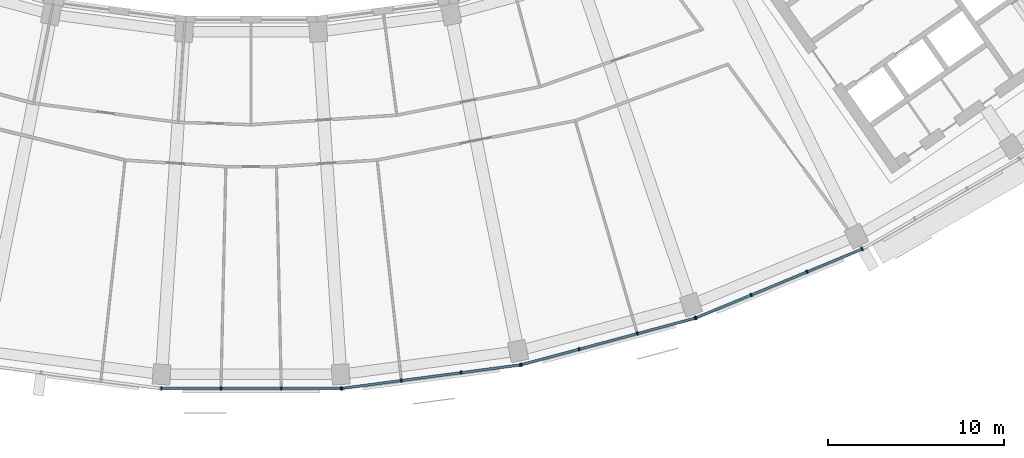
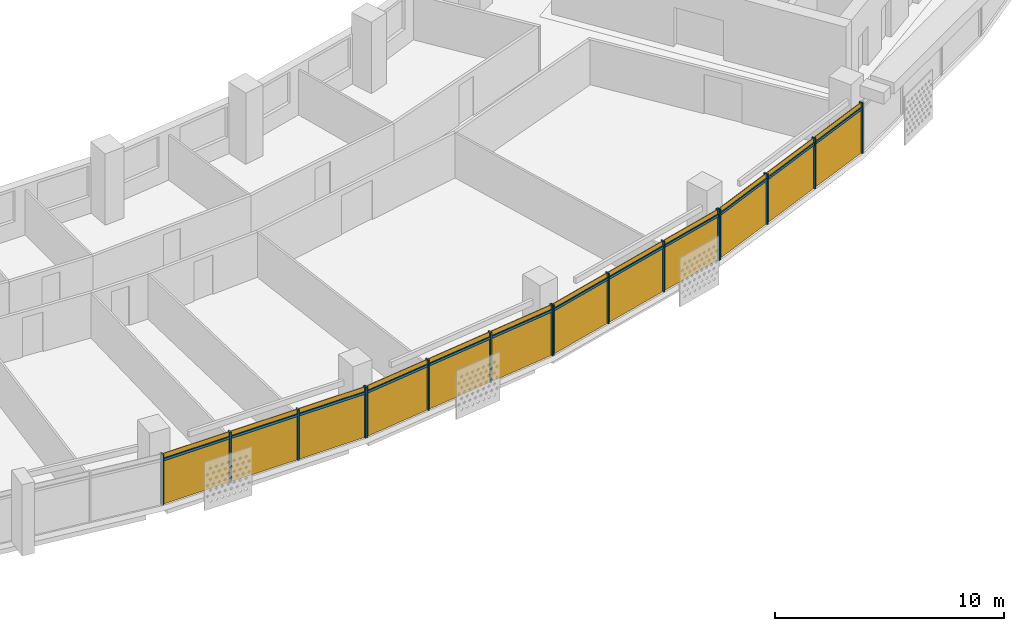
# One storey, part 21 of 28: 28 members, 4 curtain walls.
"""IFC4 building model written with IfcOpenShell, lengths in metres."""

from ifc_helpers import new_model, si_unit, direction, frame, origin, origin_2d, place, context, subcontext, project, spatial, rectangle, extrude, material, material_profile, profile_set, type_object, element, aggregate, save


model = new_model("IFC4")

# Units and contexts
model_context = context("Model", 3, precision=1e-05, world=origin(), true_north=direction((0.0, 1.0)))
body_context = subcontext(model_context, "Body", "Model", "MODEL_VIEW")
ifc_project = project(units=[si_unit("LENGTHUNIT", "METRE"), si_unit("AREAUNIT", "SQUARE_METRE"), si_unit("VOLUMEUNIT", "CUBIC_METRE"), si_unit("PLANEANGLEUNIT", "RADIAN"), si_unit("MASSUNIT", "GRAM", prefix="KILO")], contexts=[model_context])

# Member
ifc_material = material(Name="Aluminium 6063-T6 anodised", Category="aluminium")
ifc_material_profile_1 = material_profile(ifc_material, rectangle(XDim=0.199951171875, YDim=0.070068359375, at=origin_2d()))
ifc_profile_set_1 = profile_set([ifc_material_profile_1], Name="Aluminium 6063-T6 anodised")
member_type_1 = type_object("IfcMemberType", Name="Mullion 70 x 200 aluminium", PredefinedType="MULLION", material=ifc_profile_set_1)
site_placement = place(None, origin())
building_placement = place(site_placement, origin())
storey_placement = place(building_placement, frame((0.0, 0.0, 230.300048828125)))
member_1_placement = place(storey_placement, frame((-5.10888671875, -78.381591796875, 0.0), z_axis=(0.0, 0.0, 1.0), x_axis=(0.0, 1.0, 0.0)))
member_1 = element("IfcMember", 1, at=member_1_placement, type_object=member_type_1, Name="e-cw1-L55-out08/M00", PredefinedType="MULLION", context=body_context, shape_type="SweptSolid", body=[
    extrude(rectangle(XDim=0.199951171875, YDim=0.070068359375, at=origin_2d()), origin(), (0.0, 0.0, 1.0), 2.699951171875),
])

member_2_placement = place(storey_placement, frame((-1.714599609375, -78.381591796875, 0.0), z_axis=(0.0, 0.0, 1.0), x_axis=(0.0, 1.0, 0.0)))
member_2 = element("IfcMember", 2, at=member_2_placement, type_object=member_type_1, Name="e-cw1-L55-out08/M01", PredefinedType="MULLION", context=body_context, shape_type="SweptSolid", body=[
    extrude(rectangle(XDim=0.199951171875, YDim=0.070068359375, at=origin_2d()), origin(), (0.0, 0.0, 1.0), 2.699951171875),
])

member_3_placement = place(storey_placement, frame((1.714599609375, -78.381591796875, 0.0), z_axis=(0.0, 0.0, 1.0), x_axis=(0.0, 1.0, 0.0)))
member_3 = element("IfcMember", 3, at=member_3_placement, type_object=member_type_1, Name="e-cw1-L55-out08/M02", PredefinedType="MULLION", context=body_context, shape_type="SweptSolid", body=[
    extrude(rectangle(XDim=0.199951171875, YDim=0.070068359375, at=origin_2d()), origin(), (0.0, 0.0, 1.0), 2.699951171875),
])

member_4_placement = place(storey_placement, frame((5.10888671875, -78.381591796875, 0.0), z_axis=(0.0, 0.0, 1.0), x_axis=(0.0, 1.0, 0.0)))
member_4 = element("IfcMember", 4, at=member_4_placement, type_object=member_type_1, Name="e-cw1-L55-out08/M03", PredefinedType="MULLION", context=body_context, shape_type="SweptSolid", body=[
    extrude(rectangle(XDim=0.199951171875, YDim=0.070068359375, at=origin_2d()), origin(), (0.0, 0.0, 1.0), 2.699951171875),
])

member_5_placement = place(storey_placement, frame((5.16552734375, -78.3779296875, 0.0), z_axis=(0.0, 0.0, 1.0), x_axis=(-0.13052619222, 0.991444861374, 0.0)))
member_5 = element("IfcMember", 5, at=member_5_placement, type_object=member_type_1, Name="e-cw1-L55-out09/M00", PredefinedType="MULLION", context=body_context, shape_type="SweptSolid", body=[
    extrude(rectangle(XDim=0.199951171875, YDim=0.070068359375, at=origin_2d()), origin(), (0.0, 0.0, 1.0), 2.699951171875),
])

member_6_placement = place(storey_placement, frame((8.53076171875, -77.934814453125, 0.0), z_axis=(0.0, 0.0, 1.0), x_axis=(-0.13052619222, 0.991444861374, 0.0)))
member_6 = element("IfcMember", 6, at=member_6_placement, type_object=member_type_1, Name="e-cw1-L55-out09/M01", PredefinedType="MULLION", context=body_context, shape_type="SweptSolid", body=[
    extrude(rectangle(XDim=0.199951171875, YDim=0.070068359375, at=origin_2d()), origin(), (0.0, 0.0, 1.0), 2.699951171875),
])

member_7_placement = place(storey_placement, frame((11.930908203125, -77.4873046875, 0.0), z_axis=(0.0, 0.0, 1.0), x_axis=(-0.13052619222, 0.991444861374, 0.0)))
member_7 = element("IfcMember", 7, at=member_7_placement, type_object=member_type_1, Name="e-cw1-L55-out09/M02", PredefinedType="MULLION", context=body_context, shape_type="SweptSolid", body=[
    extrude(rectangle(XDim=0.199951171875, YDim=0.070068359375, at=origin_2d()), origin(), (0.0, 0.0, 1.0), 2.699951171875),
])

member_8_placement = place(storey_placement, frame((15.296142578125, -77.044189453125, 0.0), z_axis=(0.0, 0.0, 1.0), x_axis=(-0.13052619222, 0.991444861374, 0.0)))
member_8 = element("IfcMember", 8, at=member_8_placement, type_object=member_type_1, Name="e-cw1-L55-out09/M03", PredefinedType="MULLION", context=body_context, shape_type="SweptSolid", body=[
    extrude(rectangle(XDim=0.199951171875, YDim=0.070068359375, at=origin_2d()), origin(), (0.0, 0.0, 1.0), 2.699951171875),
])

member_9_placement = place(storey_placement, frame((15.351806640625, -77.033203125, 0.0), z_axis=(0.0, 0.0, 1.0), x_axis=(-0.258819045103, 0.965925826289, 0.0)))
member_9 = element("IfcMember", 9, at=member_9_placement, type_object=member_type_1, Name="e-cw1-L55-out10/M00", PredefinedType="MULLION", context=body_context, shape_type="SweptSolid", body=[
    extrude(rectangle(XDim=0.199951171875, YDim=0.070068359375, at=origin_2d()), origin(), (0.0, 0.0, 1.0), 2.699951171875),
])

member_10_placement = place(storey_placement, frame((18.63037109375, -76.154541015625, 0.0), z_axis=(0.0, 0.0, 1.0), x_axis=(-0.258819045103, 0.965925826289, 0.0)))
member_10 = element("IfcMember", 10, at=member_10_placement, type_object=member_type_1, Name="e-cw1-L55-out10/M01", PredefinedType="MULLION", context=body_context, shape_type="SweptSolid", body=[
    extrude(rectangle(XDim=0.199951171875, YDim=0.070068359375, at=origin_2d()), origin(), (0.0, 0.0, 1.0), 2.699951171875),
])

member_11_placement = place(storey_placement, frame((21.94287109375, -75.26708984375, 0.0), z_axis=(0.0, 0.0, 1.0), x_axis=(-0.258819045103, 0.965925826289, 0.0)))
member_11 = element("IfcMember", 11, at=member_11_placement, type_object=member_type_1, Name="e-cw1-L55-out10/M02", PredefinedType="MULLION", context=body_context, shape_type="SweptSolid", body=[
    extrude(rectangle(XDim=0.199951171875, YDim=0.070068359375, at=origin_2d()), origin(), (0.0, 0.0, 1.0), 2.699951171875),
])

member_12_placement = place(storey_placement, frame((25.221435546875, -74.388427734375, 0.0), z_axis=(0.0, 0.0, 1.0), x_axis=(-0.258819045103, 0.965925826289, 0.0)))
member_12 = element("IfcMember", 12, at=member_12_placement, type_object=member_type_1, Name="e-cw1-L55-out10/M03", PredefinedType="MULLION", context=body_context, shape_type="SweptSolid", body=[
    extrude(rectangle(XDim=0.199951171875, YDim=0.070068359375, at=origin_2d()), origin(), (0.0, 0.0, 1.0), 2.699951171875),
])

member_13_placement = place(storey_placement, frame((25.275390625, -74.370361328125, 0.0), z_axis=(0.0, 0.0, 1.0), x_axis=(-0.382683432365, 0.923879532511, 0.0)))
member_13 = element("IfcMember", 13, at=member_13_placement, type_object=member_type_1, Name="e-cw1-L55-out11/M00", PredefinedType="MULLION", context=body_context, shape_type="SweptSolid", body=[
    extrude(rectangle(XDim=0.199951171875, YDim=0.070068359375, at=origin_2d()), origin(), (0.0, 0.0, 1.0), 2.699951171875),
])

member_14_placement = place(storey_placement, frame((28.4111328125, -73.0712890625, 0.0), z_axis=(0.0, 0.0, 1.0), x_axis=(-0.382683432365, 0.923879532511, 0.0)))
member_14 = element("IfcMember", 14, at=member_14_placement, type_object=member_type_1, Name="e-cw1-L55-out11/M01", PredefinedType="MULLION", context=body_context, shape_type="SweptSolid", body=[
    extrude(rectangle(XDim=0.199951171875, YDim=0.070068359375, at=origin_2d()), origin(), (0.0, 0.0, 1.0), 2.699951171875),
])

member_15_placement = place(storey_placement, frame((31.57958984375, -71.759033203125, 0.0), z_axis=(0.0, 0.0, 1.0), x_axis=(-0.382683432365, 0.923879532511, 0.0)))
member_15 = element("IfcMember", 15, at=member_15_placement, type_object=member_type_1, Name="e-cw1-L55-out11/M02", PredefinedType="MULLION", context=body_context, shape_type="SweptSolid", body=[
    extrude(rectangle(XDim=0.199951171875, YDim=0.070068359375, at=origin_2d()), origin(), (0.0, 0.0, 1.0), 2.699951171875),
])

member_16_placement = place(storey_placement, frame((34.71533203125, -70.4599609375, 0.0), z_axis=(0.0, 0.0, 1.0), x_axis=(-0.382683432365, 0.923879532511, 0.0)))
member_16 = element("IfcMember", 16, at=member_16_placement, type_object=member_type_1, Name="e-cw1-L55-out11/M03", PredefinedType="MULLION", context=body_context, shape_type="SweptSolid", body=[
    extrude(rectangle(XDim=0.199951171875, YDim=0.070068359375, at=origin_2d()), origin(), (0.0, 0.0, 1.0), 2.699951171875),
])

ifc_material_profile_2 = material_profile(ifc_material, rectangle(XDim=0.139892578125, YDim=0.1201171875, at=origin_2d()))
ifc_profile_set_2 = profile_set([ifc_material_profile_2], Name="Aluminium 6063-T6 anodised")
member_type_2 = type_object("IfcMemberType", Name="Transom 120 x 140 aluminium", PredefinedType="USERDEFINED", material=ifc_profile_set_2)
member_17_placement = place(storey_placement, frame((-5.073974609375, -78.381591796875, 2.39990234375), z_axis=(1.0, 0.0, 0.0), x_axis=(0.0, 1.0, 0.0)))
member_17 = element("IfcMember", 17, at=member_17_placement, type_object=member_type_2, Name="e-cw1-L55-out08/T00", ObjectType="TRANSOM", PredefinedType="USERDEFINED", context=body_context, shape_type="SweptSolid", body=[
    extrude(rectangle(XDim=0.139892578125, YDim=0.1201171875, at=origin_2d()), origin(), (0.0, 0.0, 1.0), 3.32421875),
])

member_18_placement = place(storey_placement, frame((-1.6796875, -78.381591796875, 2.39990234375), z_axis=(1.0, 0.0, 0.0), x_axis=(0.0, 1.0, 0.0)))
member_18 = element("IfcMember", 18, at=member_18_placement, type_object=member_type_2, Name="e-cw1-L55-out08/T01", ObjectType="TRANSOM", PredefinedType="USERDEFINED", context=body_context, shape_type="SweptSolid", body=[
    extrude(rectangle(XDim=0.139892578125, YDim=0.1201171875, at=origin_2d()), origin(), (0.0, 0.0, 1.0), 3.359375),
])

member_19_placement = place(storey_placement, frame((1.749755859375, -78.381591796875, 2.39990234375), z_axis=(1.0, 0.0, 0.0), x_axis=(0.0, 1.0, 0.0)))
member_19 = element("IfcMember", 19, at=member_19_placement, type_object=member_type_2, Name="e-cw1-L55-out08/T02", ObjectType="TRANSOM", PredefinedType="USERDEFINED", context=body_context, shape_type="SweptSolid", body=[
    extrude(rectangle(XDim=0.139892578125, YDim=0.1201171875, at=origin_2d()), origin(), (0.0, 0.0, 1.0), 3.32421875),
])

member_20_placement = place(storey_placement, frame((5.2001953125, -78.373291015625, 2.39990234375), z_axis=(0.991447795146, 0.130503906072, 0.0), x_axis=(-0.130503906072, 0.991447795146, 0.0)))
member_20 = element("IfcMember", 20, at=member_20_placement, type_object=member_type_2, Name="e-cw1-L55-out09/T00", ObjectType="TRANSOM", PredefinedType="USERDEFINED", context=body_context, shape_type="SweptSolid", body=[
    extrude(rectangle(XDim=0.139892578125, YDim=0.1201171875, at=origin_2d()), origin(), (0.0, 0.0, 1.0), 3.32421875),
])

member_21_placement = place(storey_placement, frame((8.565673828125, -77.93017578125, 2.39990234375), z_axis=(0.991444893088, 0.130525951326, 0.0), x_axis=(-0.130525951326, 0.991444893088, 0.0)))
member_21 = element("IfcMember", 21, at=member_21_placement, type_object=member_type_2, Name="e-cw1-L55-out09/T01", ObjectType="TRANSOM", PredefinedType="USERDEFINED", context=body_context, shape_type="SweptSolid", body=[
    extrude(rectangle(XDim=0.139892578125, YDim=0.1201171875, at=origin_2d()), origin(), (0.0, 0.0, 1.0), 3.359375),
])

member_22_placement = place(storey_placement, frame((11.965576171875, -77.482666015625, 2.39990234375), z_axis=(0.991447795146, 0.130503906072, 0.0), x_axis=(-0.130503906072, 0.991447795146, 0.0)))
member_22 = element("IfcMember", 22, at=member_22_placement, type_object=member_type_2, Name="e-cw1-L55-out09/T02", ObjectType="TRANSOM", PredefinedType="USERDEFINED", context=body_context, shape_type="SweptSolid", body=[
    extrude(rectangle(XDim=0.139892578125, YDim=0.1201171875, at=origin_2d()), origin(), (0.0, 0.0, 1.0), 3.32421875),
])

member_23_placement = place(storey_placement, frame((15.385498046875, -77.024169921875, 2.39990234375), z_axis=(0.965913629723, 0.258864559019, 0.0), x_axis=(-0.258864559019, 0.965913629723, 0.0)))
member_23 = element("IfcMember", 23, at=member_23_placement, type_object=member_type_2, Name="e-cw1-L55-out10/T00", ObjectType="TRANSOM", PredefinedType="USERDEFINED", context=body_context, shape_type="SweptSolid", body=[
    extrude(rectangle(XDim=0.139892578125, YDim=0.1201171875, at=origin_2d()), origin(), (0.0, 0.0, 1.0), 3.324462890625),
])

member_24_placement = place(storey_placement, frame((18.664306640625, -76.1455078125, 2.39990234375), z_axis=(0.965931507774, 0.258797840582, 0.0), x_axis=(-0.258797840582, 0.965931507774, 0.0)))
member_24 = element("IfcMember", 24, at=member_24_placement, type_object=member_type_2, Name="e-cw1-L55-out10/T01", ObjectType="TRANSOM", PredefinedType="USERDEFINED", context=body_context, shape_type="SweptSolid", body=[
    extrude(rectangle(XDim=0.139892578125, YDim=0.1201171875, at=origin_2d()), origin(), (0.0, 0.0, 1.0), 3.359375),
])

member_25_placement = place(storey_placement, frame((21.976806640625, -75.258056640625, 2.39990234375), z_axis=(0.965908708139, 0.25888292246, 0.0), x_axis=(-0.25888292246, 0.965908708139, 0.0)))
member_25 = element("IfcMember", 25, at=member_25_placement, type_object=member_type_2, Name="e-cw1-L55-out10/T02", ObjectType="TRANSOM", PredefinedType="USERDEFINED", context=body_context, shape_type="SweptSolid", body=[
    extrude(rectangle(XDim=0.139892578125, YDim=0.1201171875, at=origin_2d()), origin(), (0.0, 0.0, 1.0), 3.32421875),
])

member_26_placement = place(storey_placement, frame((25.3076171875, -74.35693359375, 2.39990234375), z_axis=(0.923874511193, 0.382695554676, 0.0), x_axis=(-0.382695554676, 0.923874511193, 0.0)))
member_26 = element("IfcMember", 26, at=member_26_placement, type_object=member_type_2, Name="e-cw1-L55-out11/T00", ObjectType="TRANSOM", PredefinedType="USERDEFINED", context=body_context, shape_type="SweptSolid", body=[
    extrude(rectangle(XDim=0.139892578125, YDim=0.1201171875, at=origin_2d()), origin(), (0.0, 0.0, 1.0), 3.324462890625),
])

member_27_placement = place(storey_placement, frame((28.443603515625, -73.057861328125, 2.39990234375), z_axis=(0.923891938088, 0.38265348128, 0.0), x_axis=(-0.38265348128, 0.923891938088, 0.0)))
member_27 = element("IfcMember", 27, at=member_27_placement, type_object=member_type_2, Name="e-cw1-L55-out11/T01", ObjectType="TRANSOM", PredefinedType="USERDEFINED", context=body_context, shape_type="SweptSolid", body=[
    extrude(rectangle(XDim=0.139892578125, YDim=0.1201171875, at=origin_2d()), origin(), (0.0, 0.0, 1.0), 3.359130859375),
])

member_28_placement = place(storey_placement, frame((31.61181640625, -71.74560546875, 2.39990234375), z_axis=(0.923874511193, 0.382695554676, 0.0), x_axis=(-0.382695554676, 0.923874511193, 0.0)))
member_28 = element("IfcMember", 28, at=member_28_placement, type_object=member_type_2, Name="e-cw1-L55-out11/T02", ObjectType="TRANSOM", PredefinedType="USERDEFINED", context=body_context, shape_type="SweptSolid", body=[
    extrude(rectangle(XDim=0.139892578125, YDim=0.1201171875, at=origin_2d()), origin(), (0.0, 0.0, 1.0), 3.324462890625),
])

# Site, building, storey
site = spatial("IfcSite", under=ifc_project, at=site_placement, CompositionType="ELEMENT")
building = spatial("IfcBuilding", under=site, at=building_placement, Name="Qamariyya Broadcast Tower", CompositionType="ELEMENT")
storey = spatial("IfcBuildingStorey", under=building, at=storey_placement, Name="L55", CompositionType="ELEMENT", Elevation=230.300048828125)

# Curtain wall
curtain_wall_type = type_object("IfcCurtainWallType", Name="Unitised curtain wall, anodised aluminium", PredefinedType="NOTDEFINED", material=ifc_material)
curtain_wall_1_placement = place(storey_placement, origin())
curtain_wall_1 = element("IfcCurtainWall", 29, at=curtain_wall_1_placement, inside=storey, type_object=curtain_wall_type, Name="e-cw1-L55-out08", PredefinedType="NOTDEFINED", context=body_context, shape_type="SweptSolid", body=[
    extrude(rectangle(XDim=3.324462890625, YDim=0.031982421875, at=origin_2d()), frame((-3.411865234375, -78.381591796875, 0.0), x_axis=(1.0, 0.0, 0.0)), (0.0, 0.0, 1.0), 2.340087890625),
    extrude(rectangle(XDim=3.324462890625, YDim=0.031982421875, at=origin_2d()), frame((-3.411865234375, -78.381591796875, 2.4599609375), x_axis=(1.0, 0.0, 0.0)), (0.0, 0.0, 1.0), 0.239990234375),
    extrude(rectangle(XDim=3.359375, YDim=0.031982421875, at=origin_2d()), frame((0.0, -78.381591796875, 0.0), x_axis=(1.0, 0.0, 0.0)), (0.0, 0.0, 1.0), 2.340087890625),
    extrude(rectangle(XDim=3.359375, YDim=0.031982421875, at=origin_2d()), frame((0.0, -78.381591796875, 2.4599609375), x_axis=(1.0, 0.0, 0.0)), (0.0, 0.0, 1.0), 0.239990234375),
    extrude(rectangle(XDim=3.324462890625, YDim=0.031982421875, at=origin_2d()), frame((3.411865234375, -78.381591796875, 0.0), x_axis=(1.0, 0.0, 0.0)), (0.0, 0.0, 1.0), 2.340087890625),
    extrude(rectangle(XDim=3.324462890625, YDim=0.031982421875, at=origin_2d()), frame((3.411865234375, -78.381591796875, 2.4599609375), x_axis=(1.0, 0.0, 0.0)), (0.0, 0.0, 1.0), 0.239990234375),
])

aggregate(curtain_wall_1, [member_1, member_2, member_3, member_4, member_17, member_18, member_19])

curtain_wall_2_placement = place(storey_placement, origin())
curtain_wall_2 = element("IfcCurtainWall", 30, at=curtain_wall_2_placement, inside=storey, type_object=curtain_wall_type, Name="e-cw1-L55-out09", PredefinedType="NOTDEFINED", context=body_context, shape_type="SweptSolid", body=[
    extrude(rectangle(XDim=3.32421875, YDim=0.031982421875, at=origin_2d()), frame((6.84814453125, -78.156494140625, 0.0), x_axis=(0.991442741341, 0.130542294457, 0.0)), (0.0, 0.0, 1.0), 2.340087890625),
    extrude(rectangle(XDim=3.32421875, YDim=0.031982421875, at=origin_2d()), frame((6.84814453125, -78.156494140625, 2.4599609375), x_axis=(0.991442741341, 0.130542294457, 0.0)), (0.0, 0.0, 1.0), 0.239990234375),
    extrude(rectangle(XDim=3.359375, YDim=0.031982421875, at=origin_2d()), frame((10.23095703125, -77.7109375, 0.0), x_axis=(0.991442741341, 0.130542294457, 0.0)), (0.0, 0.0, 1.0), 2.340087890625),
    extrude(rectangle(XDim=3.359375, YDim=0.031982421875, at=origin_2d()), frame((10.23095703125, -77.7109375, 2.4599609375), x_axis=(0.991442741341, 0.130542294457, 0.0)), (0.0, 0.0, 1.0), 0.239990234375),
    extrude(rectangle(XDim=3.32421875, YDim=0.031982421875, at=origin_2d()), frame((13.613525390625, -77.265625, 0.0), x_axis=(0.991442741341, 0.130542294457, 0.0)), (0.0, 0.0, 1.0), 2.340087890625),
    extrude(rectangle(XDim=3.32421875, YDim=0.031982421875, at=origin_2d()), frame((13.613525390625, -77.265625, 2.4599609375), x_axis=(0.991442741341, 0.130542294457, 0.0)), (0.0, 0.0, 1.0), 0.239990234375),
])

aggregate(curtain_wall_2, [member_5, member_6, member_7, member_8, member_20, member_21, member_22])

curtain_wall_3_placement = place(storey_placement, origin())
curtain_wall_3 = element("IfcCurtainWall", 31, at=curtain_wall_3_placement, inside=storey, type_object=curtain_wall_type, Name="e-cw1-L55-out10", PredefinedType="NOTDEFINED", context=body_context, shape_type="SweptSolid", body=[
    extrude(rectangle(XDim=3.324462890625, YDim=0.031982421875, at=origin_2d()), frame((16.990966796875, -76.593994140625, 0.0), x_axis=(0.965923476514, 0.258827814424, 0.0)), (0.0, 0.0, 1.0), 2.340087890625),
    extrude(rectangle(XDim=3.324462890625, YDim=0.031982421875, at=origin_2d()), frame((16.990966796875, -76.593994140625, 2.4599609375), x_axis=(0.965923476514, 0.258827814424, 0.0)), (0.0, 0.0, 1.0), 0.239990234375),
    extrude(rectangle(XDim=3.359375, YDim=0.031982421875, at=origin_2d()), frame((20.28662109375, -75.7109375, 0.0), x_axis=(0.965923476514, 0.258827814424, 0.0)), (0.0, 0.0, 1.0), 2.340087890625),
    extrude(rectangle(XDim=3.359375, YDim=0.031982421875, at=origin_2d()), frame((20.28662109375, -75.7109375, 2.4599609375), x_axis=(0.965923476514, 0.258827814424, 0.0)), (0.0, 0.0, 1.0), 0.239990234375),
    extrude(rectangle(XDim=3.324462890625, YDim=0.031982421875, at=origin_2d()), frame((23.582275390625, -74.82763671875, 0.0), x_axis=(0.965923476514, 0.258827814424, 0.0)), (0.0, 0.0, 1.0), 2.340087890625),
    extrude(rectangle(XDim=3.324462890625, YDim=0.031982421875, at=origin_2d()), frame((23.582275390625, -74.82763671875, 2.4599609375), x_axis=(0.965923476514, 0.258827814424, 0.0)), (0.0, 0.0, 1.0), 0.239990234375),
])

aggregate(curtain_wall_3, [member_9, member_10, member_11, member_12, member_23, member_24, member_25])

curtain_wall_4_placement = place(storey_placement, origin())
curtain_wall_4 = element("IfcCurtainWall", 32, at=curtain_wall_4_placement, inside=storey, type_object=curtain_wall_type, Name="e-cw1-L55-out11", PredefinedType="NOTDEFINED", context=body_context, shape_type="SweptSolid", body=[
    extrude(rectangle(XDim=3.32421875, YDim=0.031982421875, at=origin_2d()), frame((26.84326171875, -73.720703125, 0.0), x_axis=(0.923880895135, 0.382680142683, 0.0)), (0.0, 0.0, 1.0), 2.340087890625),
    extrude(rectangle(XDim=3.32421875, YDim=0.031982421875, at=origin_2d()), frame((26.84326171875, -73.720703125, 2.4599609375), x_axis=(0.923880895135, 0.382680142683, 0.0)), (0.0, 0.0, 1.0), 0.239990234375),
    extrude(rectangle(XDim=3.359375, YDim=0.031982421875, at=origin_2d()), frame((29.995361328125, -72.4150390625, 0.0), x_axis=(0.923880895135, 0.382680142683, 0.0)), (0.0, 0.0, 1.0), 2.340087890625),
    extrude(rectangle(XDim=3.359375, YDim=0.031982421875, at=origin_2d()), frame((29.995361328125, -72.4150390625, 2.4599609375), x_axis=(0.923880895135, 0.382680142683, 0.0)), (0.0, 0.0, 1.0), 0.239990234375),
    extrude(rectangle(XDim=3.32421875, YDim=0.031982421875, at=origin_2d()), frame((33.1474609375, -71.109375, 0.0), x_axis=(0.923880895135, 0.382680142683, 0.0)), (0.0, 0.0, 1.0), 2.340087890625),
    extrude(rectangle(XDim=3.32421875, YDim=0.031982421875, at=origin_2d()), frame((33.1474609375, -71.109375, 2.4599609375), x_axis=(0.923880895135, 0.382680142683, 0.0)), (0.0, 0.0, 1.0), 0.239990234375),
])

aggregate(curtain_wall_4, [member_13, member_14, member_15, member_16, member_26, member_27, member_28])

save(model, "model.ifc")
